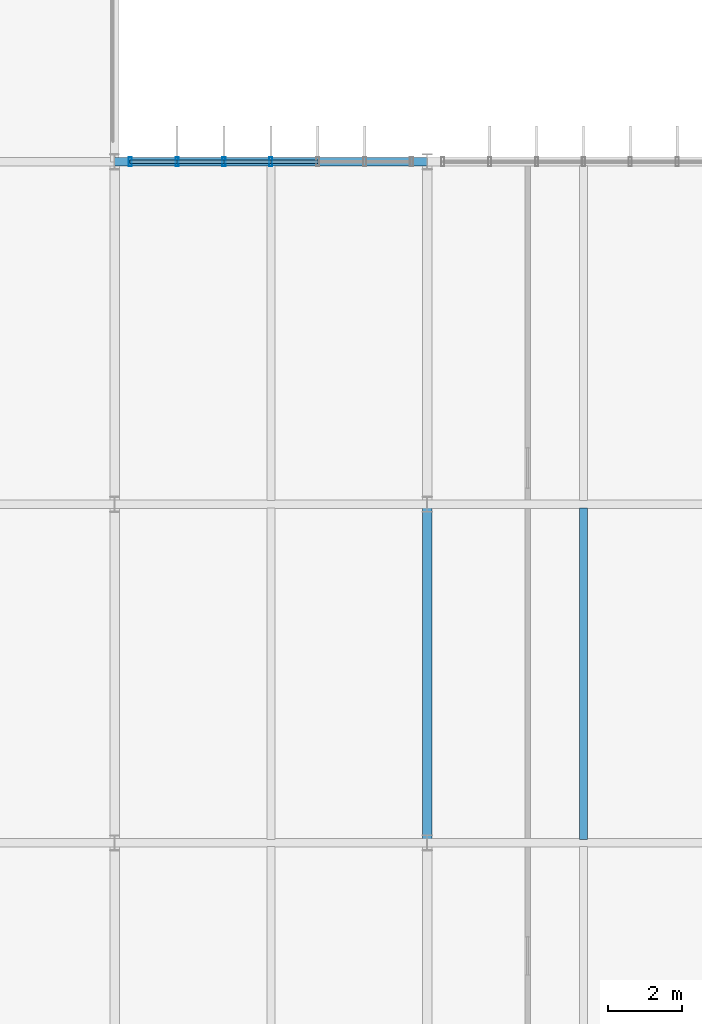
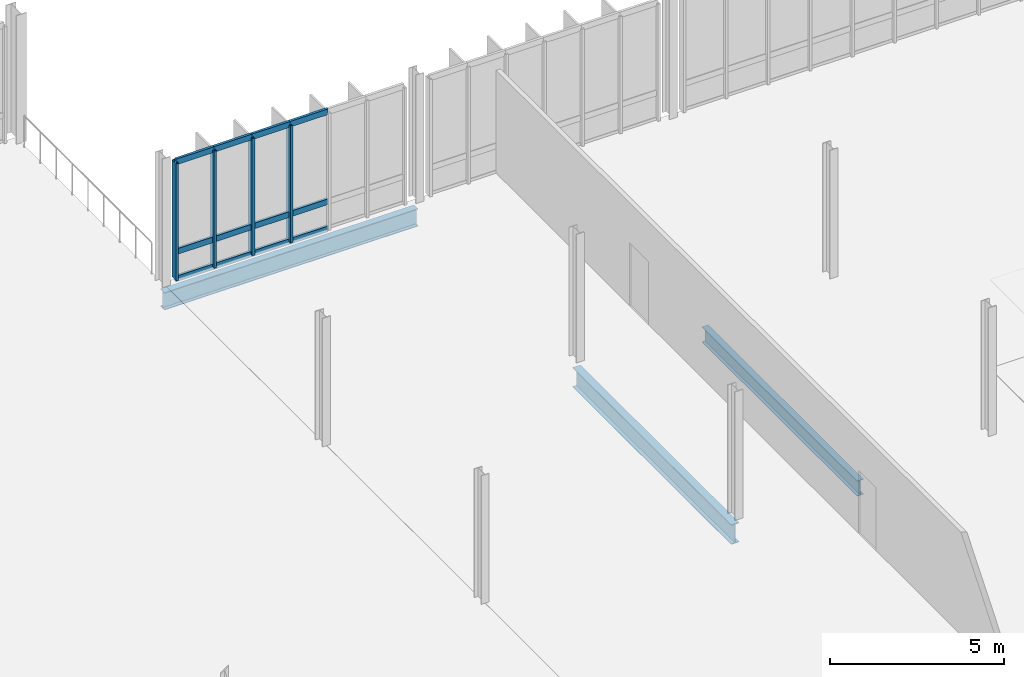
# One storey, part 78 of 139: 16 members, 3 beams, 1 element without a shape of its own.
"""IFC4 building model written with IfcOpenShell, lengths in metres."""

from ifc_helpers import new_model, si_unit, derived_unit, direction, frame, origin, origin_2d, place, context, subcontext, project, spatial, hollow_rectangle, i_section, extrude, material, layer, layer_set, material_profile, profile_set, type_object, element, aggregate, save


model = new_model("IFC4")

# Units and contexts
model_context = context("Model", 3, precision=1e-05, world=origin(), true_north=direction((0.0, 1.0)))
body_context = subcontext(model_context, "Body", "Model", "MODEL_VIEW")
ifc_project = project(units=[si_unit("LENGTHUNIT", "METRE"), si_unit("AREAUNIT", "SQUARE_METRE"), si_unit("VOLUMEUNIT", "CUBIC_METRE"), si_unit("PLANEANGLEUNIT", "RADIAN"), si_unit("MASSUNIT", "GRAM", prefix="KILO"), derived_unit("THERMALTRANSMITTANCEUNIT", [(si_unit("MASSUNIT", "GRAM", prefix="KILO"), 1), (si_unit("TIMEUNIT", "SECOND"), -3), (si_unit("THERMODYNAMICTEMPERATUREUNIT", "KELVIN"), -1)])], contexts=[model_context])

# Site, building, storey
site_placement = place(None, origin())
site = spatial("IfcSite", under=ifc_project, at=site_placement, CompositionType="ELEMENT")
building_placement = place(site_placement, origin())
building = spatial("IfcBuilding", under=site, at=building_placement, Name="Makaiwela Harbour Ferry Terminal", CompositionType="ELEMENT")
storey_placement = place(building_placement, frame((0.0, 0.0, 5.10009765625)))
storey = spatial("IfcBuildingStorey", under=building, at=storey_placement, Name="L01", CompositionType="ELEMENT", Elevation=5.10009765625)

# Curtain wall, members
ifc_material_1 = material(Name="Marine anodised aluminium 6063-T6", Category="aluminium")
ifc_layer = layer(ifc_material_1, 0.199951171875)
ifc_layer_set = layer_set([ifc_layer], Name="Marine anodised aluminium 6063-T6")
curtain_wall_type = type_object("IfcCurtainWallType", Name="ENV-CW-08", PredefinedType="USERDEFINED", material=ifc_layer_set)
curtain_wall_placement = place(storey_placement, origin())
curtain_wall = element("IfcCurtainWall", 1, at=curtain_wall_placement, inside=storey, type_object=curtain_wall_type, Name="Unitised Curtain Wall CWA-121", ObjectType="UNITIZED CURTAIN WALL", PredefinedType="USERDEFINED")
ifc_material_profile_1 = material_profile(ifc_material_1, hollow_rectangle(XDim=0.0849609375, YDim=0.25, WallThickness=0.0048828125, at=origin_2d()), Name="CWM-250X85")
ifc_profile_set_1 = profile_set([ifc_material_profile_1], Name="Marine anodised aluminium 6063-T6")
member_type_1 = type_object("IfcMemberType", Name="CW-MUL-250", PredefinedType="MULLION", material=ifc_profile_set_1)
member_1_placement = place(storey_placement, frame((139.02001953125, 95.0, 0.0), z_axis=(0.0, 0.0, 1.0), x_axis=(1.0, 0.0, 0.0)))
member_1 = element("IfcMember", 2, at=member_1_placement, type_object=member_type_1, Name="Curtain Wall Mullion CWA-121-1", PredefinedType="MULLION", context=body_context, shape_type="SweptSolid", body=[
    extrude(hollow_rectangle(XDim=0.0849609375, YDim=0.25, WallThickness=0.0048828125, at=origin_2d()), origin(), (0.0, 0.0, 1.0), 4.099853515625),
])
member_2_placement = place(storey_placement, frame((140.280029296875, 95.0, 0.0), z_axis=(0.0, 0.0, 1.0), x_axis=(1.0, 0.0, 0.0)))
member_2 = element("IfcMember", 3, at=member_2_placement, type_object=member_type_1, Name="Curtain Wall Mullion CWA-121-2", PredefinedType="MULLION", context=body_context, shape_type="SweptSolid", body=[
    extrude(hollow_rectangle(XDim=0.0849609375, YDim=0.25, WallThickness=0.0048828125, at=origin_2d()), origin(), (0.0, 0.0, 1.0), 4.099853515625),
])
member_3_placement = place(storey_placement, frame((141.5400390625, 95.0, 0.0), z_axis=(0.0, 0.0, 1.0), x_axis=(1.0, 0.0, 0.0)))
member_3 = element("IfcMember", 4, at=member_3_placement, type_object=member_type_1, Name="Curtain Wall Mullion CWA-121-3", PredefinedType="MULLION", context=body_context, shape_type="SweptSolid", body=[
    extrude(hollow_rectangle(XDim=0.0849609375, YDim=0.25, WallThickness=0.0048828125, at=origin_2d()), origin(), (0.0, 0.0, 1.0), 4.099853515625),
])
member_4_placement = place(storey_placement, frame((142.800048828125, 95.0, 0.0), z_axis=(0.0, 0.0, 1.0), x_axis=(1.0, 0.0, 0.0)))
member_4 = element("IfcMember", 5, at=member_4_placement, type_object=member_type_1, Name="Curtain Wall Mullion CWA-121-4", PredefinedType="MULLION", context=body_context, shape_type="SweptSolid", body=[
    extrude(hollow_rectangle(XDim=0.0849609375, YDim=0.25, WallThickness=0.0048828125, at=origin_2d()), origin(), (0.0, 0.0, 1.0), 4.099853515625),
])
ifc_material_profile_2 = material_profile(ifc_material_1, hollow_rectangle(XDim=0.0849609375, YDim=0.199951171875, WallThickness=0.0048828125, at=origin_2d()), Name="CWT-200X85")
ifc_profile_set_2 = profile_set([ifc_material_profile_2], Name="Marine anodised aluminium 6063-T6")
member_type_2 = type_object("IfcMemberType", Name="CW-TRN-200", PredefinedType="USERDEFINED", material=ifc_profile_set_2)
member_5_placement = place(storey_placement, frame((139.02001953125, 95.0, 0.0), z_axis=(1.0, 0.0, 0.0), x_axis=(0.0, 1.0, 0.0)))
member_5 = element("IfcMember", 6, at=member_5_placement, type_object=member_type_2, Name="Curtain Wall Transom CWA-121-1-1", ObjectType="TRANSOM", PredefinedType="USERDEFINED", context=body_context, shape_type="SweptSolid", body=[
    extrude(hollow_rectangle(XDim=0.0849609375, YDim=0.199951171875, WallThickness=0.0048828125, at=origin_2d()), origin(), (0.0, 0.0, 1.0), 1.260009765625),
])
member_6_placement = place(storey_placement, frame((139.02001953125, 95.0, 0.949951171875), z_axis=(1.0, 0.0, 0.0), x_axis=(0.0, 1.0, 0.0)))
member_6 = element("IfcMember", 7, at=member_6_placement, type_object=member_type_2, Name="Curtain Wall Transom CWA-121-1-2", ObjectType="TRANSOM", PredefinedType="USERDEFINED", context=body_context, shape_type="SweptSolid", body=[
    extrude(hollow_rectangle(XDim=0.0849609375, YDim=0.199951171875, WallThickness=0.0048828125, at=origin_2d()), origin(), (0.0, 0.0, 1.0), 1.260009765625),
])
member_7_placement = place(storey_placement, frame((139.02001953125, 95.0, 4.099853515625), z_axis=(1.0, 0.0, 0.0), x_axis=(0.0, 1.0, 0.0)))
member_7 = element("IfcMember", 8, at=member_7_placement, type_object=member_type_2, Name="Curtain Wall Transom CWA-121-1-3", ObjectType="TRANSOM", PredefinedType="USERDEFINED", context=body_context, shape_type="SweptSolid", body=[
    extrude(hollow_rectangle(XDim=0.0849609375, YDim=0.199951171875, WallThickness=0.0048828125, at=origin_2d()), origin(), (0.0, 0.0, 1.0), 1.260009765625),
])
member_8_placement = place(storey_placement, frame((140.280029296875, 95.0, 0.0), z_axis=(1.0, 0.0, 0.0), x_axis=(0.0, 1.0, 0.0)))
member_8 = element("IfcMember", 9, at=member_8_placement, type_object=member_type_2, Name="Curtain Wall Transom CWA-121-2-1", ObjectType="TRANSOM", PredefinedType="USERDEFINED", context=body_context, shape_type="SweptSolid", body=[
    extrude(hollow_rectangle(XDim=0.0849609375, YDim=0.199951171875, WallThickness=0.0048828125, at=origin_2d()), origin(), (0.0, 0.0, 1.0), 1.260009765625),
])
member_9_placement = place(storey_placement, frame((140.280029296875, 95.0, 0.949951171875), z_axis=(1.0, 0.0, 0.0), x_axis=(0.0, 1.0, 0.0)))
member_9 = element("IfcMember", 10, at=member_9_placement, type_object=member_type_2, Name="Curtain Wall Transom CWA-121-2-2", ObjectType="TRANSOM", PredefinedType="USERDEFINED", context=body_context, shape_type="SweptSolid", body=[
    extrude(hollow_rectangle(XDim=0.0849609375, YDim=0.199951171875, WallThickness=0.0048828125, at=origin_2d()), origin(), (0.0, 0.0, 1.0), 1.260009765625),
])
member_10_placement = place(storey_placement, frame((140.280029296875, 95.0, 4.099853515625), z_axis=(1.0, 0.0, 0.0), x_axis=(0.0, 1.0, 0.0)))
member_10 = element("IfcMember", 11, at=member_10_placement, type_object=member_type_2, Name="Curtain Wall Transom CWA-121-2-3", ObjectType="TRANSOM", PredefinedType="USERDEFINED", context=body_context, shape_type="SweptSolid", body=[
    extrude(hollow_rectangle(XDim=0.0849609375, YDim=0.199951171875, WallThickness=0.0048828125, at=origin_2d()), origin(), (0.0, 0.0, 1.0), 1.260009765625),
])
member_11_placement = place(storey_placement, frame((141.5400390625, 95.0, 0.0), z_axis=(1.0, 0.0, 0.0), x_axis=(0.0, 1.0, 0.0)))
member_11 = element("IfcMember", 12, at=member_11_placement, type_object=member_type_2, Name="Curtain Wall Transom CWA-121-3-1", ObjectType="TRANSOM", PredefinedType="USERDEFINED", context=body_context, shape_type="SweptSolid", body=[
    extrude(hollow_rectangle(XDim=0.0849609375, YDim=0.199951171875, WallThickness=0.0048828125, at=origin_2d()), origin(), (0.0, 0.0, 1.0), 1.260009765625),
])
member_12_placement = place(storey_placement, frame((141.5400390625, 95.0, 0.949951171875), z_axis=(1.0, 0.0, 0.0), x_axis=(0.0, 1.0, 0.0)))
member_12 = element("IfcMember", 13, at=member_12_placement, type_object=member_type_2, Name="Curtain Wall Transom CWA-121-3-2", ObjectType="TRANSOM", PredefinedType="USERDEFINED", context=body_context, shape_type="SweptSolid", body=[
    extrude(hollow_rectangle(XDim=0.0849609375, YDim=0.199951171875, WallThickness=0.0048828125, at=origin_2d()), origin(), (0.0, 0.0, 1.0), 1.260009765625),
])
member_13_placement = place(storey_placement, frame((141.5400390625, 95.0, 4.099853515625), z_axis=(1.0, 0.0, 0.0), x_axis=(0.0, 1.0, 0.0)))
member_13 = element("IfcMember", 14, at=member_13_placement, type_object=member_type_2, Name="Curtain Wall Transom CWA-121-3-3", ObjectType="TRANSOM", PredefinedType="USERDEFINED", context=body_context, shape_type="SweptSolid", body=[
    extrude(hollow_rectangle(XDim=0.0849609375, YDim=0.199951171875, WallThickness=0.0048828125, at=origin_2d()), origin(), (0.0, 0.0, 1.0), 1.260009765625),
])
member_14_placement = place(storey_placement, frame((142.800048828125, 95.0, 0.0), z_axis=(1.0, 0.0, 0.0), x_axis=(0.0, 1.0, 0.0)))
member_14 = element("IfcMember", 15, at=member_14_placement, type_object=member_type_2, Name="Curtain Wall Transom CWA-121-4-1", ObjectType="TRANSOM", PredefinedType="USERDEFINED", context=body_context, shape_type="SweptSolid", body=[
    extrude(hollow_rectangle(XDim=0.0849609375, YDim=0.199951171875, WallThickness=0.0048828125, at=origin_2d()), origin(), (0.0, 0.0, 1.0), 1.260009765625),
])
member_15_placement = place(storey_placement, frame((142.800048828125, 95.0, 0.949951171875), z_axis=(1.0, 0.0, 0.0), x_axis=(0.0, 1.0, 0.0)))
member_15 = element("IfcMember", 16, at=member_15_placement, type_object=member_type_2, Name="Curtain Wall Transom CWA-121-4-2", ObjectType="TRANSOM", PredefinedType="USERDEFINED", context=body_context, shape_type="SweptSolid", body=[
    extrude(hollow_rectangle(XDim=0.0849609375, YDim=0.199951171875, WallThickness=0.0048828125, at=origin_2d()), origin(), (0.0, 0.0, 1.0), 1.260009765625),
])
member_16_placement = place(storey_placement, frame((142.800048828125, 95.0, 4.099853515625), z_axis=(1.0, 0.0, 0.0), x_axis=(0.0, 1.0, 0.0)))
member_16 = element("IfcMember", 17, at=member_16_placement, type_object=member_type_2, Name="Curtain Wall Transom CWA-121-4-3", ObjectType="TRANSOM", PredefinedType="USERDEFINED", context=body_context, shape_type="SweptSolid", body=[
    extrude(hollow_rectangle(XDim=0.0849609375, YDim=0.199951171875, WallThickness=0.0048828125, at=origin_2d()), origin(), (0.0, 0.0, 1.0), 1.260009765625),
])
aggregate(curtain_wall, [member_1, member_2, member_3, member_4, member_5, member_6, member_7, member_8, member_9, member_10, member_11, member_12, member_13, member_14, member_15, member_16])

# Beams
ifc_material_2 = material(Name="Steel ASTM A992 Grade 50", Category="steel")
ifc_material_profile_3 = material_profile(ifc_material_2, i_section(OverallWidth=0.2099609375, OverallDepth=0.537109375, WebThickness=0.010986328125, FlangeThickness=0.017333984375, at=origin_2d()), Name="W21X68")
ifc_profile_set_3 = profile_set([ifc_material_profile_3], Name="Steel ASTM A992 Grade 50")
beam_type_1 = type_object("IfcBeamType", Name="STR-BM-W21X68", PredefinedType="BEAM", material=ifc_profile_set_3)
beam_1_placement = place(storey_placement, frame((151.199951171875, 76.79638671875, -0.548583984375), z_axis=(0.0, 1.0, 0.0), x_axis=(-1.0, 0.0, 0.0)))
element("IfcBeam", 18, at=beam_1_placement, inside=storey, type_object=beam_type_1, Name="Secondary floor beam 1169", PredefinedType="BEAM", context=body_context, shape_type="SweptSolid", body=[
    extrude(i_section(OverallWidth=0.2099609375, OverallDepth=0.537109375, WebThickness=0.010986328125, FlangeThickness=0.017333984375, at=origin_2d()), origin(), (0.0, 0.0, 1.0), 8.9072265625),
])
ifc_material_profile_4 = material_profile(ifc_material_2, i_section(OverallWidth=0.22900390625, OverallDepth=0.612060546875, WebThickness=0.011962890625, FlangeThickness=0.01953125, at=origin_2d()), Name="W24X84")
ifc_profile_set_4 = profile_set([ifc_material_profile_4], Name="Steel ASTM A992 Grade 50")
beam_type_2 = type_object("IfcBeamType", Name="STR-GRD-W24X84", PredefinedType="USERDEFINED", material=ifc_profile_set_4)
beam_2_placement = place(storey_placement, frame((138.60009765625, 95.0, -0.586181640625), z_axis=(1.0, 0.0, 0.0), x_axis=(0.0, 1.0, 0.0)))
element("IfcBeam", 19, at=beam_2_placement, inside=storey, type_object=beam_type_2, Name="Primary X girder 898", ObjectType="GIRDER", PredefinedType="USERDEFINED", context=body_context, shape_type="SweptSolid", body=[
    extrude(i_section(OverallWidth=0.22900390625, OverallDepth=0.612060546875, WebThickness=0.011962890625, FlangeThickness=0.01953125, at=origin_2d()), origin(), (0.0, 0.0, 1.0), 8.39990234375),
])
ifc_material_profile_5 = material_profile(ifc_material_2, i_section(OverallWidth=0.256103515625, OverallDepth=0.693115234375, WebThickness=0.014404296875, FlangeThickness=0.023681640625, at=origin_2d()), Name="W27X114")
ifc_profile_set_5 = profile_set([ifc_material_profile_5], Name="Steel ASTM A992 Grade 50")
beam_type_3 = type_object("IfcBeamType", Name="STR-GRD-W27X114", PredefinedType="USERDEFINED", material=ifc_profile_set_5)
beam_3_placement = place(storey_placement, frame((147.0, 76.699951171875, -0.626708984375), z_axis=(0.0, 1.0, 0.0), x_axis=(-1.0, 0.0, 0.0)))
element("IfcBeam", 20, at=beam_3_placement, inside=storey, type_object=beam_type_3, Name="Primary Y girder 1028", ObjectType="GIRDER", PredefinedType="USERDEFINED", context=body_context, shape_type="SweptSolid", body=[
    extrude(i_section(OverallWidth=0.256103515625, OverallDepth=0.693115234375, WebThickness=0.014404296875, FlangeThickness=0.023681640625, at=origin_2d()), origin(), (0.0, 0.0, 1.0), 9.10009765625),
])

save(model, "model.ifc")
